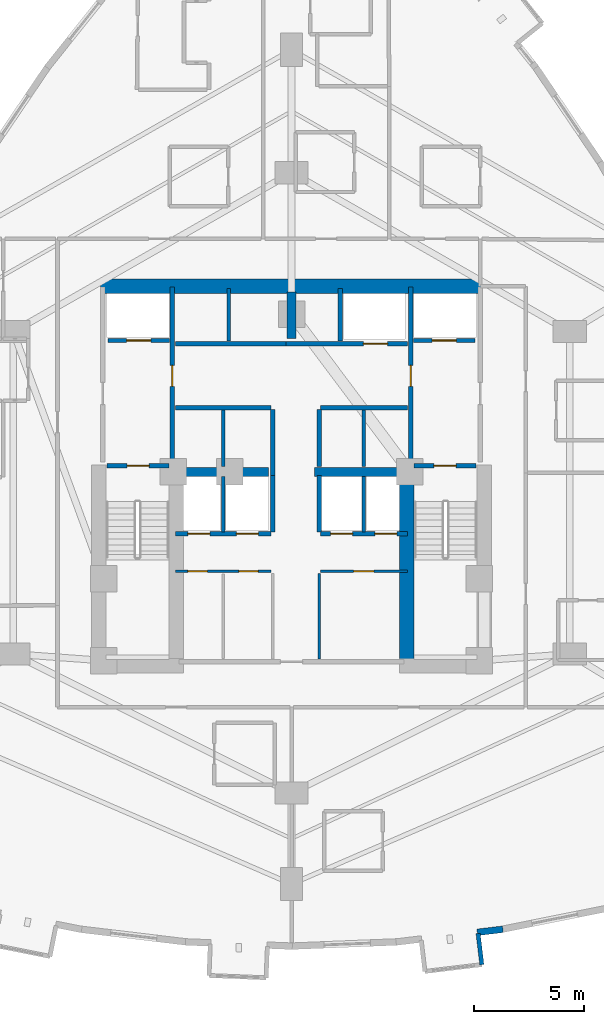
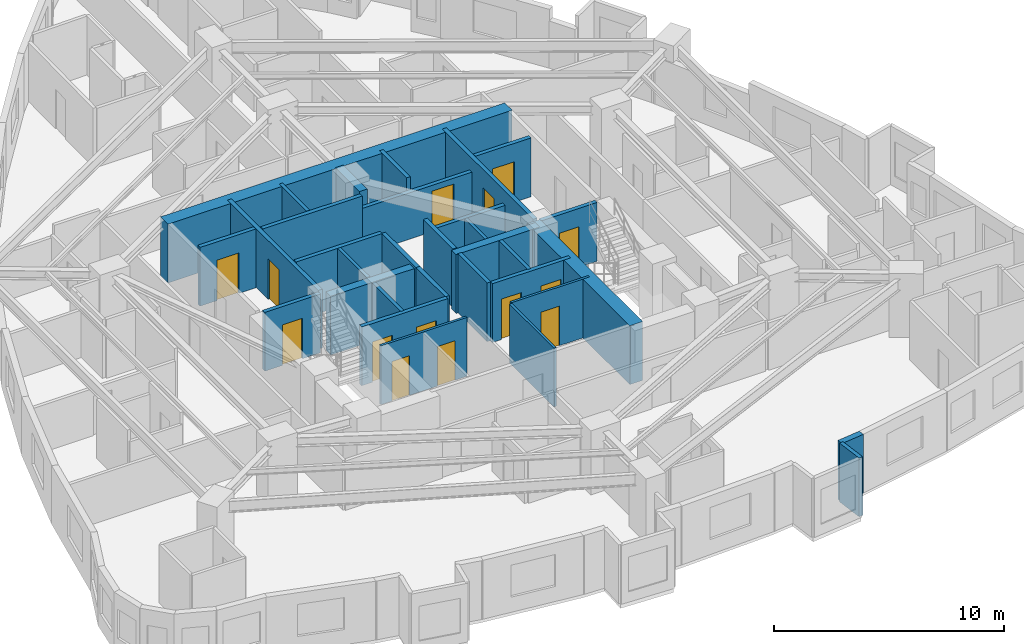
# One storey, part 8 of 13: 32 walls, 14 doors, 14 openings.
"""IFC4 building model written with IfcOpenShell, lengths in metres."""

from ifc_helpers import new_model, si_unit, direction, frame, frame_2d, origin, place, context, subcontext, project, spatial, rectangle, extrude, material, layer, layer_set, type_object, element, fill, save


model = new_model("IFC4")

# Units and contexts
model_context = context("Model", 3, precision=1e-05, world=origin(), true_north=direction((0.0, 1.0)))
body_context = subcontext(model_context, "Body", "Model", "MODEL_VIEW")
ifc_project = project(units=[si_unit("LENGTHUNIT", "METRE"), si_unit("AREAUNIT", "SQUARE_METRE"), si_unit("VOLUMEUNIT", "CUBIC_METRE"), si_unit("PLANEANGLEUNIT", "RADIAN"), si_unit("MASSUNIT", "GRAM", prefix="KILO")], contexts=[model_context])

# Site, building, storey
site_placement = place(None, origin())
site = spatial("IfcSite", under=ifc_project, at=site_placement, CompositionType="ELEMENT")
building_placement = place(site_placement, origin())
building = spatial("IfcBuilding", under=site, at=building_placement, Name="Miruveldt Soraemaru", CompositionType="ELEMENT")
storey_placement = place(building_placement, frame((0.0, 0.0, 59.800048828125)))
storey = spatial("IfcBuildingStorey", under=building, at=storey_placement, Name="L16", CompositionType="ELEMENT", Elevation=59.800048828125)

# Walls
ifc_material_1 = material(Name="White powder-coated aluminium EN AW-6060 T6", Category="aluminium")
ifc_layer_1 = layer(ifc_material_1, 0.18994140625, Name="White powder-coated aluminium EN AW-6060 T6", Category="aluminium")
ifc_layer_set_1 = layer_set([ifc_layer_1], Name="White powder-coated aluminium EN AW-6060 T6")
wall_type_1 = type_object("IfcWallType", Name="WALL-BAY-ALU190", PredefinedType="SOLIDWALL", material=ifc_layer_set_1)
wall_1_placement = place(storey_placement, frame((52.62060546875, 21.728271484375, 0.0), z_axis=(0.0, 0.0, 1.0), x_axis=(-0.119057405757, 0.992887372331, 0.0)))
element("IfcWall", 1, at=wall_1_placement, inside=storey, type_object=wall_type_1, Name="L16 Bay Window Side Cheek 3R", PredefinedType="SOLIDWALL", context=body_context, shape_type="SweptSolid", body=[
    extrude(rectangle(XDim=1.42529296875, YDim=0.18994140625, at=frame_2d((0.712646484375, 0.0))), origin(), (0.0, 0.0, 1.0), 3.125),
])
ifc_material_2 = material(Name="Concrete C70/85 (70 MPa)", Category="concrete")
ifc_layer_2 = layer(ifc_material_2, 0.5, Name="Concrete C70/85 (70 MPa)", Category="concrete")
ifc_layer_set_2 = layer_set([ifc_layer_2], Name="Concrete C70/85 (70 MPa)")
wall_type_2 = type_object("IfcWallType", Name="WALL-BW-500", PredefinedType="SHEAR", material=ifc_layer_set_2)
wall_2_placement = place(storey_placement, frame((44.0, 50.10009765625, 0.0), z_axis=(0.0, 0.0, 1.0), x_axis=(0.0, 1.0, 0.0)))
element("IfcWall", 2, at=wall_2_placement, inside=storey, type_object=wall_type_2, Name="L16 Core Buttress Shear Wall BN", PredefinedType="SHEAR", context=body_context, shape_type="SweptSolid", body=[
    extrude(rectangle(XDim=2.099853515625, YDim=0.39990234375, at=frame_2d((1.0498046875, 0.0))), origin(), (0.0, 0.0, 1.0), 3.125),
])
for number, where, z_axis, x_axis, name in (
    (3, (38.75, 44.050048828125, 0.0), (0.0, 0.0, 1.0), (1.0, 0.0, 0.0), "L16 Core Buttress Shear Wall BW"),
    (4, (45.050048828125, 44.050048828125, 0.0), (0.0, 0.0, 1.0), (1.0, 0.0, 0.0), "L16 Core Buttress Shear Wall BE"),
):
    element("IfcWall", number, at=place(storey_placement, frame(where, z_axis=z_axis, x_axis=x_axis)), inside=storey, type_object=wall_type_2, Name=name, PredefinedType="SHEAR", context=body_context, shape_type="SweptSolid", body=[
        extrude(rectangle(XDim=4.199951171875, YDim=0.39990234375, at=frame_2d((2.10009765625, 0.0))), origin(), (0.0, 0.0, 1.0), 3.125),
    ])
ifc_material_3 = material(Name="Concrete C80/95 (80 MPa)", Category="concrete")
ifc_layer_3 = layer(ifc_material_3, 0.64990234375, Name="Concrete C80/95 (80 MPa)", Category="concrete")
ifc_layer_set_3 = layer_set([ifc_layer_3], Name="Concrete C80/95 (80 MPa)")
wall_type_3 = type_object("IfcWallType", Name="WALL-CW-650", PredefinedType="SHEAR", material=ifc_layer_set_3)
wall_3_placement = place(storey_placement, frame((35.35009765625, 52.449951171875, 0.0), z_axis=(0.0, 0.0, 1.0), x_axis=(1.0, 0.0, 0.0)))
element("IfcWall", 5, at=wall_3_placement, inside=storey, type_object=wall_type_3, Name="L16 Central Core Shear Wall N", PredefinedType="SHEAR", context=body_context, shape_type="SweptSolid", body=[
    extrude(rectangle(XDim=17.2998046875, YDim=0.64990234375, at=frame_2d((8.64990234375, 0.0))), origin(), (0.0, 0.0, 1.0), 3.125),
])
wall_4_placement = place(storey_placement, frame((49.22509765625, 35.39990234375, 0.0), z_axis=(0.0, 0.0, 1.0), x_axis=(0.0, 1.0, 0.0)))
element("IfcWall", 6, at=wall_4_placement, inside=storey, type_object=wall_type_3, Name="L16 Central Core Shear Wall SE-INT", PredefinedType="SHEAR", context=body_context, shape_type="SweptSolid", body=[
    extrude(rectangle(XDim=8.9501953125, YDim=0.64990234375, at=frame_2d((4.47509765625, 0.0))), origin(), (0.0, 0.0, 1.0), 3.125),
])
ifc_material_4 = material(Name="Precast concrete C45/55 (45 MPa)", Category="concrete")
ifc_layer_4 = layer(ifc_material_4, 0.300048828125, Name="Precast concrete C45/55 (45 MPa)", Category="concrete")
ifc_layer_set_4 = layer_set([ifc_layer_4], Name="Precast concrete C45/55 (45 MPa)")
wall_type_4 = type_object("IfcWallType", Name="WALL-EXT-PC300", PredefinedType="SOLIDWALL", material=ifc_layer_set_4)
wall_5_placement = place(storey_placement, frame((52.41455078125, 23.194091796875, 0.0), z_axis=(0.0, 0.0, 1.0), x_axis=(0.992861979082, 0.119268983789, 0.0)))
element("IfcWall", 7, at=wall_5_placement, inside=storey, type_object=wall_type_4, Name="L16 Precast Pier Wall 26B", PredefinedType="SOLIDWALL", context=body_context, shape_type="SweptSolid", body=[
    extrude(rectangle(XDim=1.166748046875, YDim=0.300048828125, at=frame_2d((0.58349609375, 0.0))), origin(), (0.0, 0.0, 1.0), 3.125),
])

# Wall, openings, doors
ifc_material_5 = material(Name="Gypsum plasterboard lining", Category="gypsum")
ifc_layer_5 = layer(ifc_material_5, 0.1201171875, Name="Gypsum plasterboard lining", Category="gypsum")
ifc_layer_set_5 = layer_set([ifc_layer_5], Name="Gypsum plasterboard lining")
wall_type_5 = type_object("IfcWallType", Name="WALL-INT-P120", PredefinedType="PARTITIONING", material=ifc_layer_set_5)
wall_6_placement = place(storey_placement, frame((38.75, 39.550048828125, 0.0), z_axis=(0.0, 0.0, 1.0), x_axis=(1.0, 0.0, 0.0)))
wall_6 = element("IfcWall", 8, at=wall_6_placement, inside=storey, type_object=wall_type_5, Name="L16 Core Compartment Wall CSW-N", PredefinedType="PARTITIONING", context=body_context, shape_type="SweptSolid", body=[
    extrude(rectangle(XDim=4.330078125, YDim=0.1201171875, at=frame_2d((2.1650390625, 0.0))), origin(), (0.0, 0.0, 1.0), 3.125),
])
opening_1_placement = place(wall_6_placement, frame((0.56005859375, 0.0, 0.0)))
opening_1 = element("IfcOpeningElement", 9, at=opening_1_placement, cuts=wall_6, Name="Opening D4", PredefinedType="OPENING", context=body_context, shape_type="SweptSolid", body=[
    extrude(rectangle(XDim=0.8798828125, YDim=2.10009765625, at=frame_2d((0.43994140625, 1.050048828125))), frame((0.0, 0.070068359375, 0.0), z_axis=(0.0, -1.0, 0.0), x_axis=(1.0, 0.0, 0.0)), (0.0, 0.0, 1.0), 0.14013671875),
])
opening_2_placement = place(wall_6_placement, frame((2.860107421875, 0.0, 0.0)))
opening_2 = element("IfcOpeningElement", 10, at=opening_2_placement, cuts=wall_6, Name="Opening D4", PredefinedType="OPENING", context=body_context, shape_type="SweptSolid", body=[
    extrude(rectangle(XDim=0.8798828125, YDim=2.10009765625, at=frame_2d((0.43994140625, 1.050048828125))), frame((0.0, 0.070068359375, 0.0), z_axis=(0.0, -1.0, 0.0), x_axis=(1.0, 0.0, 0.0)), (0.0, 0.0, 1.0), 0.14013671875),
])
ifc_material_6 = material(Name="Anodised aluminium EN AW-6063 T6", Category="aluminium")
door_type_1 = type_object("IfcDoorType", Name="DOOR-INT-880", OperationType="NOTDEFINED", PredefinedType="DOOR", material=ifc_material_6)
door_1_placement = place(opening_1_placement, origin())
door_1 = element("IfcDoor", 11, at=door_1_placement, inside=storey, type_object=door_type_1, Name="L16 Fire Door", OperationType="SINGLE_SWING_LEFT", OverallHeight=2.10009765625, OverallWidth=0.8798828125, PredefinedType="DOOR", context=body_context, shape_type="SweptSolid", body=[
    extrude(rectangle(XDim=0.8798828125, YDim=2.10009765625, at=frame_2d((0.43994140625, 1.050048828125))), frame((0.0, 0.02490234375, 0.0), z_axis=(0.0, -1.0, 0.0), x_axis=(1.0, 0.0, 0.0)), (0.0, 0.0, 1.0), 0.050048828125),
])
fill(opening_1, door_1)
door_2_placement = place(opening_2_placement, origin())
door_2 = element("IfcDoor", 12, at=door_2_placement, inside=storey, type_object=door_type_1, Name="L16 Fire Door", OperationType="SINGLE_SWING_LEFT", OverallHeight=2.10009765625, OverallWidth=0.8798828125, PredefinedType="DOOR", context=body_context, shape_type="SweptSolid", body=[
    extrude(rectangle(XDim=0.8798828125, YDim=2.10009765625, at=frame_2d((0.43994140625, 1.050048828125))), frame((0.0, 0.02490234375, 0.0), z_axis=(0.0, -1.0, 0.0), x_axis=(1.0, 0.0, 0.0)), (0.0, 0.0, 1.0), 0.050048828125),
])
fill(opening_2, door_2)

# Wall, opening, door
wall_7_placement = place(storey_placement, frame((45.320068359375, 39.550048828125, 0.0), z_axis=(0.0, 0.0, 1.0), x_axis=(1.0, 0.0, 0.0)))
wall_7 = element("IfcWall", 13, at=wall_7_placement, inside=storey, type_object=wall_type_5, Name="L16 Core Compartment Wall CSE-N", PredefinedType="PARTITIONING", context=body_context, shape_type="SweptSolid", body=[
    extrude(rectangle(XDim=3.929931640625, YDim=0.1201171875, at=frame_2d((1.96484375, 0.0))), origin(), (0.0, 0.0, 1.0), 3.125),
])
opening_3_placement = place(wall_7_placement, frame((1.489990234375, 0.0, 0.0)))
opening_3 = element("IfcOpeningElement", 14, at=opening_3_placement, cuts=wall_7, Name="Opening D3A", PredefinedType="OPENING", context=body_context, shape_type="SweptSolid", body=[
    extrude(rectangle(XDim=0.919921875, YDim=2.10009765625, at=frame_2d((0.4599609375, 1.050048828125))), frame((0.0, 0.070068359375, 0.0), z_axis=(0.0, -1.0, 0.0), x_axis=(1.0, 0.0, 0.0)), (0.0, 0.0, 1.0), 0.14013671875),
])
door_type_2 = type_object("IfcDoorType", Name="DOOR-INT-920", OperationType="NOTDEFINED", PredefinedType="DOOR", material=ifc_material_6)
door_3_placement = place(opening_3_placement, origin())
door_3 = element("IfcDoor", 15, at=door_3_placement, inside=storey, type_object=door_type_2, Name="L16 Fire Door", OperationType="SINGLE_SWING_LEFT", OverallHeight=2.10009765625, OverallWidth=0.919921875, PredefinedType="DOOR", context=body_context, shape_type="SweptSolid", body=[
    extrude(rectangle(XDim=0.919921875, YDim=2.10009765625, at=frame_2d((0.4599609375, 1.050048828125))), frame((0.0, 0.02490234375, 0.0), z_axis=(0.0, -1.0, 0.0), x_axis=(1.0, 0.0, 0.0)), (0.0, 0.0, 1.0), 0.050048828125),
])
fill(opening_3, door_3)

# Walls
wall_8_placement = place(storey_placement, frame((45.25, 35.580078125, 0.0), z_axis=(0.0, 0.0, 1.0), x_axis=(0.0, 1.0, 0.0)))
element("IfcWall", 16, at=wall_8_placement, inside=storey, type_object=wall_type_5, Name="L16 Core Compartment Wall SP-ES", PredefinedType="PARTITIONING", context=body_context, shape_type="SweptSolid", body=[
    extrude(rectangle(XDim=3.869873046875, YDim=0.1201171875, at=frame_2d((1.93505859375, 0.0))), origin(), (0.0, 0.0, 1.0), 3.125),
])
ifc_material_7 = material(Name="Concrete C40/50 (40 MPa)", Category="concrete")
ifc_layer_6 = layer(ifc_material_7, 0.159912109375, Name="Concrete C40/50 (40 MPa)", Category="concrete")
ifc_layer_set_6 = layer_set([ifc_layer_6], Name="Concrete C40/50 (40 MPa)")
wall_type_6 = type_object("IfcWallType", Name="WALL-INT-RC160", PredefinedType="SOLIDWALL", material=ifc_layer_set_6)
wall_9_placement = place(storey_placement, frame((40.89990234375, 44.300048828125, 0.0), z_axis=(0.0, 0.0, 1.0), x_axis=(0.0, 1.0, 0.0)))
element("IfcWall", 17, at=wall_9_placement, inside=storey, type_object=wall_type_6, Name="L16 Core Compartment Wall PLM-DW", PredefinedType="SOLIDWALL", context=body_context, shape_type="SweptSolid", body=[
    extrude(rectangle(XDim=2.550048828125, YDim=0.159912109375, at=frame_2d((1.27490234375, 0.0))), origin(), (0.0, 0.0, 1.0), 3.125),
])
wall_10_placement = place(storey_placement, frame((47.280029296875, 44.300048828125, 0.0), z_axis=(0.0, 0.0, 1.0), x_axis=(0.0, 1.0, 0.0)))
element("IfcWall", 18, at=wall_10_placement, inside=storey, type_object=wall_type_6, Name="L16 Core Compartment Wall PLM-DE", PredefinedType="SOLIDWALL", context=body_context, shape_type="SweptSolid", body=[
    extrude(rectangle(XDim=2.550048828125, YDim=0.159912109375, at=frame_2d((1.27490234375, 0.0))), origin(), (0.0, 0.0, 1.0), 2.462890625),
])
for number, where, z_axis, x_axis, name in (
    (19, (40.89990234375, 41.320068359375, 0.0), (0.0, 0.0, 1.0), (0.0, 1.0, 0.0), "L16 Core Compartment Wall PLL-DW"),
    (20, (47.280029296875, 41.320068359375, 0.0), (0.0, 0.0, 1.0), (0.0, 1.0, 0.0), "L16 Core Compartment Wall PLL-DE"),
):
    element("IfcWall", number, at=place(storey_placement, frame(where, z_axis=z_axis, x_axis=x_axis)), inside=storey, type_object=wall_type_6, Name=name, PredefinedType="SOLIDWALL", context=body_context, shape_type="SweptSolid", body=[
        extrude(rectangle(XDim=2.530029296875, YDim=0.159912109375, at=frame_2d((1.26513671875, 0.0))), origin(), (0.0, 0.0, 1.0), 3.125),
    ])
wall_11_placement = place(storey_placement, frame((41.14990234375, 49.97998046875, 0.0), z_axis=(0.0, 0.0, 1.0), x_axis=(0.0, 1.0, 0.0)))
element("IfcWall", 21, at=wall_11_placement, inside=storey, type_object=wall_type_6, Name="L16 Core Compartment Wall PLH-DIV1", PredefinedType="SOLIDWALL", context=body_context, shape_type="SweptSolid", body=[
    extrude(rectangle(XDim=2.3701171875, YDim=0.159912109375, at=frame_2d((1.18505859375, 0.0))), origin(), (0.0, 0.0, 1.0), 3.125),
])

# Wall, opening, door
ifc_layer_7 = layer(ifc_material_7, 0.199951171875, Name="Concrete C40/50 (40 MPa)", Category="concrete")
ifc_layer_set_7 = layer_set([ifc_layer_7], Name="Concrete C40/50 (40 MPa)")
wall_type_7 = type_object("IfcWallType", Name="WALL-INT-RC200", PredefinedType="SOLIDWALL", material=ifc_layer_set_7)
wall_12_placement = place(storey_placement, frame((38.60009765625, 44.5, 0.0), z_axis=(0.0, 0.0, 1.0), x_axis=(0.0, 1.0, 0.0)))
wall_12 = element("IfcWall", 22, at=wall_12_placement, inside=storey, type_object=wall_type_7, Name="L16 Core Compartment Wall FFW-IN", PredefinedType="SOLIDWALL", context=body_context, shape_type="SweptSolid", body=[
    extrude(rectangle(XDim=7.919921875, YDim=0.199951171875, at=frame_2d((3.9599609375, 0.0))), origin(), (0.0, 0.0, 1.0), 3.125),
])
opening_4_placement = place(wall_12_placement, frame((3.425048828125, 0.0, 0.0)))
opening_4 = element("IfcOpeningElement", 23, at=opening_4_placement, cuts=wall_12, Name="Opening FD2", PredefinedType="OPENING", context=body_context, shape_type="SweptSolid", body=[
    extrude(rectangle(XDim=0.949951171875, YDim=2.14990234375, at=frame_2d((0.47509765625, 1.074951171875))), frame((0.0, 0.10986328125, 0.0), z_axis=(0.0, -1.0, 0.0), x_axis=(1.0, 0.0, 0.0)), (0.0, 0.0, 1.0), 0.219970703125),
])
door_type_3 = type_object("IfcDoorType", Name="DOOR-FD2-950", OperationType="NOTDEFINED", PredefinedType="DOOR", material=ifc_material_6)
door_4_placement = place(opening_4_placement, frame((0.949951171875, 0.0, 0.0), z_axis=(0.0, 0.0, 1.0), x_axis=(-1.0, 0.0, 0.0)))
door_4 = element("IfcDoor", 24, at=door_4_placement, inside=storey, type_object=door_type_3, Name="L16 Lift Lobby to West Fire Lobby Door", OperationType="SINGLE_SWING_RIGHT", OverallHeight=2.14990234375, OverallWidth=0.949951171875, PredefinedType="DOOR", context=body_context, shape_type="SweptSolid", body=[
    extrude(rectangle(XDim=0.949951171875, YDim=2.14990234375, at=frame_2d((0.47509765625, 1.074951171875))), frame((0.0, 0.02490234375, 0.0), z_axis=(0.0, -1.0, 0.0), x_axis=(1.0, 0.0, 0.0)), (0.0, 0.0, 1.0), 0.050048828125),
])
fill(opening_4, door_4)

wall_13_placement = place(storey_placement, frame((49.39990234375, 44.5, 0.0), z_axis=(0.0, 0.0, 1.0), x_axis=(0.0, 1.0, 0.0)))
wall_13 = element("IfcWall", 25, at=wall_13_placement, inside=storey, type_object=wall_type_7, Name="L16 Core Compartment Wall FFE-IN", PredefinedType="SOLIDWALL", context=body_context, shape_type="SweptSolid", body=[
    extrude(rectangle(XDim=7.919921875, YDim=0.199951171875, at=frame_2d((3.9599609375, 0.0))), origin(), (0.0, 0.0, 1.0), 3.125),
])
opening_5_placement = place(wall_13_placement, frame((3.425048828125, 0.0, 0.0)))
opening_5 = element("IfcOpeningElement", 26, at=opening_5_placement, cuts=wall_13, Name="Opening FD2", PredefinedType="OPENING", context=body_context, shape_type="SweptSolid", body=[
    extrude(rectangle(XDim=0.949951171875, YDim=2.14990234375, at=frame_2d((0.47509765625, 1.074951171875))), frame((0.0, 0.10986328125, 0.0), z_axis=(0.0, -1.0, 0.0), x_axis=(1.0, 0.0, 0.0)), (0.0, 0.0, 1.0), 0.219970703125),
])
door_5_placement = place(opening_5_placement, origin())
door_5 = element("IfcDoor", 27, at=door_5_placement, inside=storey, type_object=door_type_3, Name="L16 Lift Lobby to East Fire Lobby Door", OperationType="SINGLE_SWING_LEFT", OverallHeight=2.14990234375, OverallWidth=0.949951171875, PredefinedType="DOOR", context=body_context, shape_type="SweptSolid", body=[
    extrude(rectangle(XDim=0.949951171875, YDim=2.14990234375, at=frame_2d((0.47509765625, 1.074951171875))), frame((0.0, 0.02490234375, 0.0), z_axis=(0.0, -1.0, 0.0), x_axis=(1.0, 0.0, 0.0)), (0.0, 0.0, 1.0), 0.050048828125),
])
fill(opening_5, door_5)

wall_14_placement = place(storey_placement, frame((43.75, 49.85009765625, 0.0), z_axis=(0.0, 0.0, 1.0), x_axis=(1.0, 0.0, 0.0)))
wall_14 = element("IfcWall", 28, at=wall_14_placement, inside=storey, type_object=wall_type_7, Name="L16 Core Compartment Wall ROWA-SE", PredefinedType="SOLIDWALL", context=body_context, shape_type="SweptSolid", body=[
    extrude(rectangle(XDim=5.5, YDim=0.199951171875, at=frame_2d((2.75, 0.0))), origin(), (0.0, 0.0, 1.0), 2.462890625),
])
opening_6_placement = place(wall_14_placement, frame((3.5, 0.0, 0.0)))
opening_6 = element("IfcOpeningElement", 29, at=opening_6_placement, cuts=wall_14, Name="Opening LD2", PredefinedType="OPENING", context=body_context, shape_type="SweptSolid", body=[
    extrude(rectangle(XDim=1.10009765625, YDim=2.14990234375, at=frame_2d((0.550048828125, 1.074951171875))), frame((0.0, 0.10986328125, 0.0), z_axis=(0.0, -1.0, 0.0), x_axis=(1.0, 0.0, 0.0)), (0.0, 0.0, 1.0), 0.219970703125),
])
door_type_4 = type_object("IfcDoorType", Name="DOOR-LD2-1100", OperationType="SLIDING_TO_LEFT", PredefinedType="DOOR", material=ifc_material_6)
door_6_placement = place(opening_6_placement, origin())
door_6 = element("IfcDoor", 30, at=door_6_placement, inside=storey, type_object=door_type_4, Name="L16 SL-1 Landing Door", OperationType="SLIDING_TO_LEFT", OverallHeight=2.14990234375, OverallWidth=1.10009765625, PredefinedType="DOOR", context=body_context, shape_type="SweptSolid", body=[
    extrude(rectangle(XDim=1.10009765625, YDim=2.14990234375, at=frame_2d((0.550048828125, 1.074951171875))), frame((0.0, 0.02490234375, 0.0), z_axis=(0.0, -1.0, 0.0), x_axis=(1.0, 0.0, 0.0)), (0.0, 0.0, 1.0), 0.050048828125),
])
fill(opening_6, door_6)

# Wall, openings, doors
wall_15_placement = place(storey_placement, frame((38.75, 41.25, 0.0), z_axis=(0.0, 0.0, 1.0), x_axis=(1.0, 0.0, 0.0)))
wall_15 = element("IfcWall", 31, at=wall_15_placement, inside=storey, type_object=wall_type_7, Name="L16 Core Compartment Wall LBW-S", PredefinedType="SOLIDWALL", context=body_context, shape_type="SweptSolid", body=[
    extrude(rectangle(XDim=4.330078125, YDim=0.199951171875, at=frame_2d((2.1650390625, 0.0))), origin(), (0.0, 0.0, 1.0), 3.125),
])
opening_7_placement = place(wall_15_placement, frame((0.550048828125, 0.0, 0.0)))
opening_7 = element("IfcOpeningElement", 32, at=opening_7_placement, cuts=wall_15, Name="Opening LD1B", PredefinedType="OPENING", context=body_context, shape_type="SweptSolid", body=[
    extrude(rectangle(XDim=1.0, YDim=2.14990234375, at=frame_2d((0.5, 1.074951171875))), frame((0.0, 0.10986328125, 0.0), z_axis=(0.0, -1.0, 0.0), x_axis=(1.0, 0.0, 0.0)), (0.0, 0.0, 1.0), 0.219970703125),
])
opening_8_placement = place(wall_15_placement, frame((2.75, 0.0, 0.0)))
opening_8 = element("IfcOpeningElement", 33, at=opening_8_placement, cuts=wall_15, Name="Opening LD1B", PredefinedType="OPENING", context=body_context, shape_type="SweptSolid", body=[
    extrude(rectangle(XDim=1.0, YDim=2.14990234375, at=frame_2d((0.5, 1.074951171875))), frame((0.0, 0.10986328125, 0.0), z_axis=(0.0, -1.0, 0.0), x_axis=(1.0, 0.0, 0.0)), (0.0, 0.0, 1.0), 0.219970703125),
])
door_type_5 = type_object("IfcDoorType", Name="DOOR-LD1-1000", OperationType="SLIDING_TO_LEFT", PredefinedType="DOOR", material=ifc_material_6)
door_7_placement = place(opening_7_placement, frame((1.0, 0.0, 0.0), z_axis=(0.0, 0.0, 1.0), x_axis=(-1.0, 0.0, 0.0)))
door_7 = element("IfcDoor", 34, at=door_7_placement, inside=storey, type_object=door_type_5, Name="L16 PL-L1 Landing Door", OperationType="SLIDING_TO_LEFT", OverallHeight=2.14990234375, OverallWidth=1.0, PredefinedType="DOOR", context=body_context, shape_type="SweptSolid", body=[
    extrude(rectangle(XDim=1.0, YDim=2.14990234375, at=frame_2d((0.5, 1.074951171875))), frame((0.0, 0.02490234375, 0.0), z_axis=(0.0, -1.0, 0.0), x_axis=(1.0, 0.0, 0.0)), (0.0, 0.0, 1.0), 0.050048828125),
])
fill(opening_7, door_7)
door_8_placement = place(opening_8_placement, frame((1.0, 0.0, 0.0), z_axis=(0.0, 0.0, 1.0), x_axis=(-1.0, 0.0, 0.0)))
door_8 = element("IfcDoor", 35, at=door_8_placement, inside=storey, type_object=door_type_5, Name="L16 PL-L2 Landing Door", OperationType="SLIDING_TO_LEFT", OverallHeight=2.14990234375, OverallWidth=1.0, PredefinedType="DOOR", context=body_context, shape_type="SweptSolid", body=[
    extrude(rectangle(XDim=1.0, YDim=2.14990234375, at=frame_2d((0.5, 1.074951171875))), frame((0.0, 0.02490234375, 0.0), z_axis=(0.0, -1.0, 0.0), x_axis=(1.0, 0.0, 0.0)), (0.0, 0.0, 1.0), 0.050048828125),
])
fill(opening_8, door_8)

wall_16_placement = place(storey_placement, frame((45.320068359375, 41.25, 0.0), z_axis=(0.0, 0.0, 1.0), x_axis=(1.0, 0.0, 0.0)))
wall_16 = element("IfcWall", 36, at=wall_16_placement, inside=storey, type_object=wall_type_7, Name="L16 Core Compartment Wall LBE-S", PredefinedType="SOLIDWALL", context=body_context, shape_type="SweptSolid", body=[
    extrude(rectangle(XDim=3.929931640625, YDim=0.199951171875, at=frame_2d((1.96484375, 0.0))), origin(), (0.0, 0.0, 1.0), 3.125),
])
opening_9_placement = place(wall_16_placement, frame((0.449951171875, 0.0, 0.0)))
opening_9 = element("IfcOpeningElement", 37, at=opening_9_placement, cuts=wall_16, Name="Opening LD1B", PredefinedType="OPENING", context=body_context, shape_type="SweptSolid", body=[
    extrude(rectangle(XDim=1.0, YDim=2.14990234375, at=frame_2d((0.5, 1.074951171875))), frame((0.0, 0.10986328125, 0.0), z_axis=(0.0, -1.0, 0.0), x_axis=(1.0, 0.0, 0.0)), (0.0, 0.0, 1.0), 0.219970703125),
])
opening_10_placement = place(wall_16_placement, frame((2.449951171875, 0.0, 0.0)))
opening_10 = element("IfcOpeningElement", 38, at=opening_10_placement, cuts=wall_16, Name="Opening LD1B", PredefinedType="OPENING", context=body_context, shape_type="SweptSolid", body=[
    extrude(rectangle(XDim=1.0, YDim=2.14990234375, at=frame_2d((0.5, 1.074951171875))), frame((0.0, 0.10986328125, 0.0), z_axis=(0.0, -1.0, 0.0), x_axis=(1.0, 0.0, 0.0)), (0.0, 0.0, 1.0), 0.219970703125),
])
door_9_placement = place(opening_9_placement, frame((1.0, 0.0, 0.0), z_axis=(0.0, 0.0, 1.0), x_axis=(-1.0, 0.0, 0.0)))
door_9 = element("IfcDoor", 39, at=door_9_placement, inside=storey, type_object=door_type_5, Name="L16 PL-L3 Landing Door", OperationType="SLIDING_TO_LEFT", OverallHeight=2.14990234375, OverallWidth=1.0, PredefinedType="DOOR", context=body_context, shape_type="SweptSolid", body=[
    extrude(rectangle(XDim=1.0, YDim=2.14990234375, at=frame_2d((0.5, 1.074951171875))), frame((0.0, 0.02490234375, 0.0), z_axis=(0.0, -1.0, 0.0), x_axis=(1.0, 0.0, 0.0)), (0.0, 0.0, 1.0), 0.050048828125),
])
fill(opening_9, door_9)
door_10_placement = place(opening_10_placement, frame((1.0, 0.0, 0.0), z_axis=(0.0, 0.0, 1.0), x_axis=(-1.0, 0.0, 0.0)))
door_10 = element("IfcDoor", 40, at=door_10_placement, inside=storey, type_object=door_type_5, Name="L16 PL-L4 Landing Door", OperationType="SLIDING_TO_LEFT", OverallHeight=2.14990234375, OverallWidth=1.0, PredefinedType="DOOR", context=body_context, shape_type="SweptSolid", body=[
    extrude(rectangle(XDim=1.0, YDim=2.14990234375, at=frame_2d((0.5, 1.074951171875))), frame((0.0, 0.02490234375, 0.0), z_axis=(0.0, -1.0, 0.0), x_axis=(1.0, 0.0, 0.0)), (0.0, 0.0, 1.0), 0.050048828125),
])
fill(opening_10, door_10)

# Wall, opening, door
wall_17_placement = place(storey_placement, frame((35.64990234375, 44.320068359375, 0.0), z_axis=(0.0, 0.0, 1.0), x_axis=(1.0, 0.0, 0.0)))
wall_17 = element("IfcWall", 41, at=wall_17_placement, inside=storey, type_object=wall_type_7, Name="L16 Core Compartment Wall ST1-N", PredefinedType="SOLIDWALL", context=body_context, shape_type="SweptSolid", body=[
    extrude(rectangle(XDim=2.800048828125, YDim=0.199951171875, at=frame_2d((1.39990234375, 0.0))), origin(), (0.0, 0.0, 1.0), 3.125),
])
opening_11_placement = place(wall_17_placement, frame((0.89990234375, 0.0, 0.0)))
opening_11 = element("IfcOpeningElement", 42, at=opening_11_placement, cuts=wall_17, Name="Opening FD1", PredefinedType="OPENING", context=body_context, shape_type="SweptSolid", body=[
    extrude(rectangle(XDim=1.0, YDim=2.14990234375, at=frame_2d((0.5, 1.074951171875))), frame((0.0, 0.10986328125, 0.0), z_axis=(0.0, -1.0, 0.0), x_axis=(1.0, 0.0, 0.0)), (0.0, 0.0, 1.0), 0.219970703125),
])
door_type_6 = type_object("IfcDoorType", Name="DOOR-FD1-1000", OperationType="NOTDEFINED", PredefinedType="DOOR", material=ifc_material_6)
door_11_placement = place(opening_11_placement, frame((1.0, 0.0, 0.0), z_axis=(0.0, 0.0, 1.0), x_axis=(-1.0, 0.0, 0.0)))
door_11 = element("IfcDoor", 43, at=door_11_placement, inside=storey, type_object=door_type_6, Name="L16 Stair ST-1 Fire Door", OperationType="SINGLE_SWING_LEFT", OverallHeight=2.14990234375, OverallWidth=1.0, PredefinedType="DOOR", context=body_context, shape_type="SweptSolid", body=[
    extrude(rectangle(XDim=1.0, YDim=2.14990234375, at=frame_2d((0.5, 1.074951171875))), frame((0.0, 0.02490234375, 0.0), z_axis=(0.0, -1.0, 0.0), x_axis=(1.0, 0.0, 0.0)), (0.0, 0.0, 1.0), 0.050048828125),
])
fill(opening_11, door_11)

wall_18_placement = place(storey_placement, frame((49.550048828125, 44.320068359375, 0.0), z_axis=(0.0, 0.0, 1.0), x_axis=(1.0, 0.0, 0.0)))
wall_18 = element("IfcWall", 44, at=wall_18_placement, inside=storey, type_object=wall_type_7, Name="L16 Core Compartment Wall ST2-N", PredefinedType="SOLIDWALL", context=body_context, shape_type="SweptSolid", body=[
    extrude(rectangle(XDim=2.800048828125, YDim=0.199951171875, at=frame_2d((1.39990234375, 0.0))), origin(), (0.0, 0.0, 1.0), 3.125),
])
opening_12_placement = place(wall_18_placement, frame((0.89990234375, 0.0, 0.0)))
opening_12 = element("IfcOpeningElement", 45, at=opening_12_placement, cuts=wall_18, Name="Opening FD1", PredefinedType="OPENING", context=body_context, shape_type="SweptSolid", body=[
    extrude(rectangle(XDim=1.0, YDim=2.14990234375, at=frame_2d((0.5, 1.074951171875))), frame((0.0, 0.10986328125, 0.0), z_axis=(0.0, -1.0, 0.0), x_axis=(1.0, 0.0, 0.0)), (0.0, 0.0, 1.0), 0.219970703125),
])
door_12_placement = place(opening_12_placement, frame((1.0, 0.0, 0.0), z_axis=(0.0, 0.0, 1.0), x_axis=(-1.0, 0.0, 0.0)))
door_12 = element("IfcDoor", 46, at=door_12_placement, inside=storey, type_object=door_type_6, Name="L16 Stair ST-2 Fire Door", OperationType="SINGLE_SWING_RIGHT", OverallHeight=2.14990234375, OverallWidth=1.0, PredefinedType="DOOR", context=body_context, shape_type="SweptSolid", body=[
    extrude(rectangle(XDim=1.0, YDim=2.14990234375, at=frame_2d((0.5, 1.074951171875))), frame((0.0, 0.02490234375, 0.0), z_axis=(0.0, -1.0, 0.0), x_axis=(1.0, 0.0, 0.0)), (0.0, 0.0, 1.0), 0.050048828125),
])
fill(opening_12, door_12)

wall_19_placement = place(storey_placement, frame((35.679931640625, 50.0, 0.0), z_axis=(0.0, 0.0, 1.0), x_axis=(1.0, 0.0, 0.0)))
wall_19 = element("IfcWall", 47, at=wall_19_placement, inside=storey, type_object=wall_type_7, Name="L16 Core Compartment Wall FFL1-S", PredefinedType="SOLIDWALL", context=body_context, shape_type="SweptSolid", body=[
    extrude(rectangle(XDim=2.800048828125, YDim=0.199951171875, at=frame_2d((1.39990234375, 0.0))), origin(), (0.0, 0.0, 1.0), 3.125),
])
opening_13_placement = place(wall_19_placement, frame((0.85009765625, 0.0, 0.0)))
opening_13 = element("IfcOpeningElement", 48, at=opening_13_placement, cuts=wall_19, Name="Opening LD2", PredefinedType="OPENING", context=body_context, shape_type="SweptSolid", body=[
    extrude(rectangle(XDim=1.10009765625, YDim=2.14990234375, at=frame_2d((0.550048828125, 1.074951171875))), frame((0.0, 0.10986328125, 0.0), z_axis=(0.0, -1.0, 0.0), x_axis=(1.0, 0.0, 0.0)), (0.0, 0.0, 1.0), 0.219970703125),
])
door_13_placement = place(opening_13_placement, origin())
door_13 = element("IfcDoor", 49, at=door_13_placement, inside=storey, type_object=door_type_4, Name="L16 FFL-1 Landing Door", OperationType="SLIDING_TO_LEFT", OverallHeight=2.14990234375, OverallWidth=1.10009765625, PredefinedType="DOOR", context=body_context, shape_type="SweptSolid", body=[
    extrude(rectangle(XDim=1.10009765625, YDim=2.14990234375, at=frame_2d((0.550048828125, 1.074951171875))), frame((0.0, 0.02490234375, 0.0), z_axis=(0.0, -1.0, 0.0), x_axis=(1.0, 0.0, 0.0)), (0.0, 0.0, 1.0), 0.050048828125),
])
fill(opening_13, door_13)

wall_20_placement = place(storey_placement, frame((49.52001953125, 50.0, 0.0), z_axis=(0.0, 0.0, 1.0), x_axis=(1.0, 0.0, 0.0)))
wall_20 = element("IfcWall", 50, at=wall_20_placement, inside=storey, type_object=wall_type_7, Name="L16 Core Compartment Wall FFL2-S", PredefinedType="SOLIDWALL", context=body_context, shape_type="SweptSolid", body=[
    extrude(rectangle(XDim=2.800048828125, YDim=0.199951171875, at=frame_2d((1.39990234375, 0.0))), origin(), (0.0, 0.0, 1.0), 3.125),
])
opening_14_placement = place(wall_20_placement, frame((0.85009765625, 0.0, 0.0)))
opening_14 = element("IfcOpeningElement", 51, at=opening_14_placement, cuts=wall_20, Name="Opening LD2", PredefinedType="OPENING", context=body_context, shape_type="SweptSolid", body=[
    extrude(rectangle(XDim=1.10009765625, YDim=2.14990234375, at=frame_2d((0.550048828125, 1.074951171875))), frame((0.0, 0.10986328125, 0.0), z_axis=(0.0, -1.0, 0.0), x_axis=(1.0, 0.0, 0.0)), (0.0, 0.0, 1.0), 0.219970703125),
])
door_14_placement = place(opening_14_placement, origin())
door_14 = element("IfcDoor", 52, at=door_14_placement, inside=storey, type_object=door_type_4, Name="L16 FFL-2 Landing Door", OperationType="SLIDING_TO_LEFT", OverallHeight=2.14990234375, OverallWidth=1.10009765625, PredefinedType="DOOR", context=body_context, shape_type="SweptSolid", body=[
    extrude(rectangle(XDim=1.10009765625, YDim=2.14990234375, at=frame_2d((0.550048828125, 1.074951171875))), frame((0.0, 0.02490234375, 0.0), z_axis=(0.0, -1.0, 0.0), x_axis=(1.0, 0.0, 0.0)), (0.0, 0.0, 1.0), 0.050048828125),
])
fill(opening_14, door_14)

# Walls
wall_21_placement = place(storey_placement, frame((38.75, 49.85009765625, 0.0), z_axis=(0.0, 0.0, 1.0), x_axis=(1.0, 0.0, 0.0)))
element("IfcWall", 53, at=wall_21_placement, inside=storey, type_object=wall_type_7, Name="L16 Core Compartment Wall ROWA-SW", PredefinedType="SOLIDWALL", context=body_context, shape_type="SweptSolid", body=[
    extrude(rectangle(XDim=5.0, YDim=0.199951171875, at=frame_2d((2.5, 0.0))), origin(), (0.0, 0.0, 1.0), 3.125),
])
wall_22_placement = place(storey_placement, frame((38.75, 46.949951171875, 0.0), z_axis=(0.0, 0.0, 1.0), x_axis=(1.0, 0.0, 0.0)))
element("IfcWall", 54, at=wall_22_placement, inside=storey, type_object=wall_type_7, Name="L16 Core Compartment Wall MBW-N", PredefinedType="SOLIDWALL", context=body_context, shape_type="SweptSolid", body=[
    extrude(rectangle(XDim=4.330078125, YDim=0.199951171875, at=frame_2d((2.1650390625, 0.0))), origin(), (0.0, 0.0, 1.0), 3.125),
])
wall_23_placement = place(storey_placement, frame((45.320068359375, 46.949951171875, 0.0), z_axis=(0.0, 0.0, 1.0), x_axis=(1.0, 0.0, 0.0)))
element("IfcWall", 55, at=wall_23_placement, inside=storey, type_object=wall_type_7, Name="L16 Core Compartment Wall MBE-N", PredefinedType="SOLIDWALL", context=body_context, shape_type="SweptSolid", body=[
    extrude(rectangle(XDim=3.929931640625, YDim=0.199951171875, at=frame_2d((1.96484375, 0.0))), origin(), (0.0, 0.0, 1.0), 2.462890625),
])
wall_24_placement = place(storey_placement, frame((43.14990234375, 43.8798828125, 0.0), z_axis=(0.0, 0.0, 1.0), x_axis=(0.0, 1.0, 0.0)))
element("IfcWall", 56, at=wall_24_placement, inside=storey, type_object=wall_type_7, Name="L16 Core Compartment Wall SP-WB", PredefinedType="SOLIDWALL", context=body_context, shape_type="SweptSolid", body=[
    extrude(rectangle(XDim=3.0, YDim=0.199951171875, at=frame_2d((1.5, 0.0))), origin(), (0.0, 0.0, 1.0), 3.125),
])
wall_25_placement = place(storey_placement, frame((45.25, 44.300048828125, 0.0), z_axis=(0.0, 0.0, 1.0), x_axis=(0.0, 1.0, 0.0)))
element("IfcWall", 57, at=wall_25_placement, inside=storey, type_object=wall_type_7, Name="L16 Core Compartment Wall SP-EB", PredefinedType="SOLIDWALL", context=body_context, shape_type="SweptSolid", body=[
    extrude(rectangle(XDim=2.579833984375, YDim=0.199951171875, at=frame_2d((1.2900390625, 0.0))), origin(), (0.0, 0.0, 1.0), 3.125),
])
for number, where, z_axis, x_axis, name in (
    (58, (43.14990234375, 41.320068359375, 0.0), (0.0, 0.0, 1.0), (0.0, 1.0, 0.0), "L16 Core Compartment Wall SP-WC"),
    (59, (45.25, 41.320068359375, 0.0), (0.0, 0.0, 1.0), (0.0, 1.0, 0.0), "L16 Core Compartment Wall SP-EC"),
):
    element("IfcWall", number, at=place(storey_placement, frame(where, z_axis=z_axis, x_axis=x_axis)), inside=storey, type_object=wall_type_7, Name=name, PredefinedType="SOLIDWALL", context=body_context, shape_type="SweptSolid", body=[
        extrude(rectangle(XDim=2.559814453125, YDim=0.199951171875, at=frame_2d((1.27978515625, 0.0))), origin(), (0.0, 0.0, 1.0), 3.125),
    ])
wall_26_placement = place(storey_placement, frame((46.199951171875, 49.97998046875, 0.0), z_axis=(0.0, 0.0, 1.0), x_axis=(0.0, 1.0, 0.0)))
element("IfcWall", 60, at=wall_26_placement, inside=storey, type_object=wall_type_7, Name="L16 Core Compartment Wall PLH-SL-DIV", PredefinedType="SOLIDWALL", context=body_context, shape_type="SweptSolid", body=[
    extrude(rectangle(XDim=2.3701171875, YDim=0.199951171875, at=frame_2d((1.18505859375, 0.0))), origin(), (0.0, 0.0, 1.0), 3.125),
])

save(model, "model.ifc")
